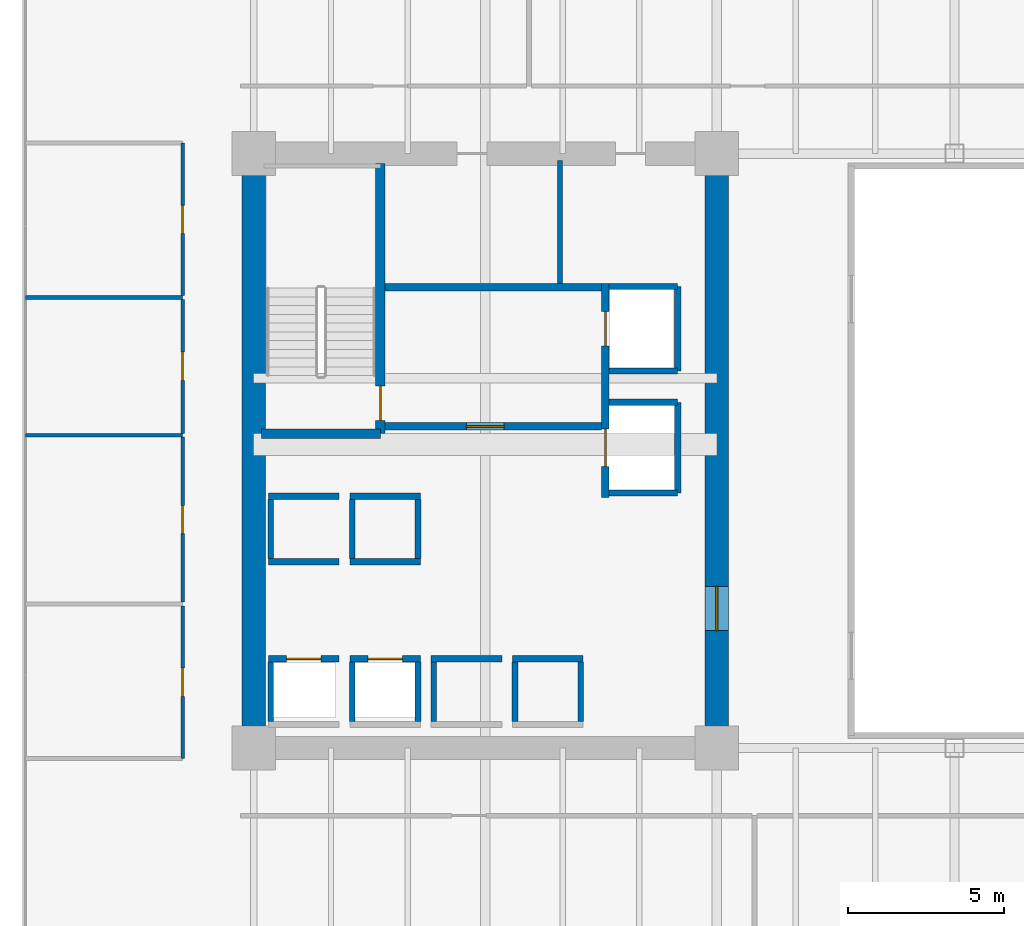
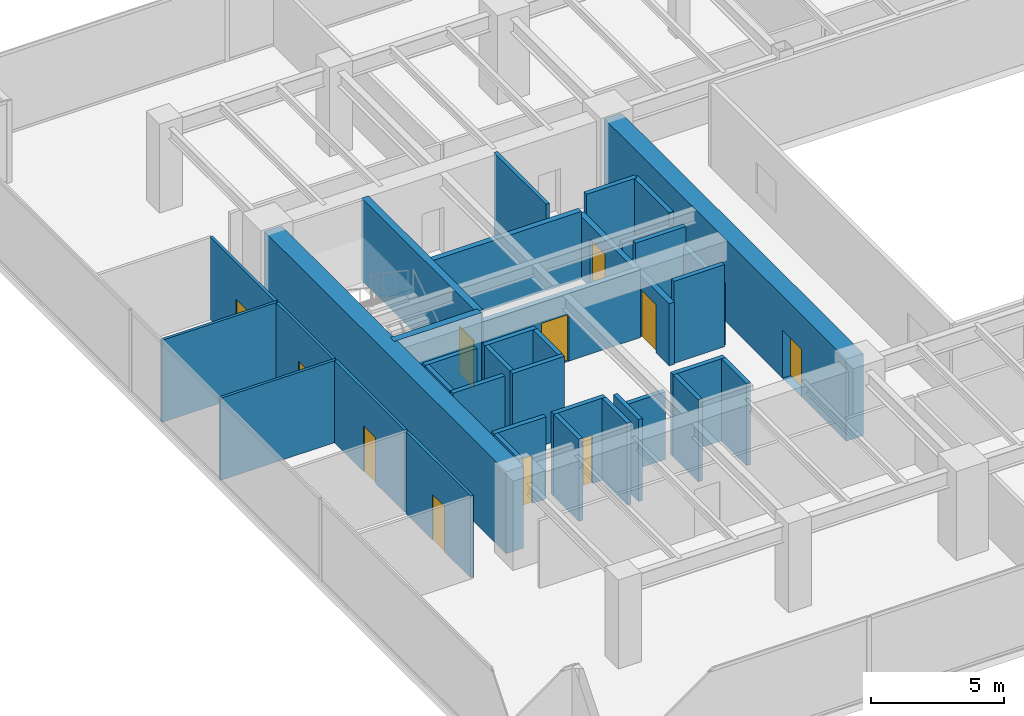
# One storey, part 29 of 35: 37 walls, 11 doors, 11 openings.
"""IFC4 building model written with IfcOpenShell, lengths in metres."""

from ifc_helpers import new_model, si_unit, direction, frame, frame_2d, origin, place, context, subcontext, project, spatial, rectangle, extrude, source, transform, mapped, material, layer, layer_set, type_object, type_shapes, element, fill, save


model = new_model("IFC4")

# Units and contexts
model_context = context("Model", 3, precision=1e-05, world=origin(), true_north=direction((0.0, 1.0)))
body_context = subcontext(model_context, "Body", "Model", "MODEL_VIEW")
ifc_project = project(units=[si_unit("LENGTHUNIT", "METRE"), si_unit("AREAUNIT", "SQUARE_METRE"), si_unit("VOLUMEUNIT", "CUBIC_METRE"), si_unit("PLANEANGLEUNIT", "RADIAN"), si_unit("MASSUNIT", "GRAM", prefix="KILO")], contexts=[model_context])

# Site, building, storey
site_placement = place(None, origin())
site = spatial("IfcSite", under=ifc_project, at=site_placement, CompositionType="ELEMENT")
building_placement = place(site_placement, origin())
building = spatial("IfcBuilding", under=site, at=building_placement, Name="Haelvirn Gate Laboratories", CompositionType="ELEMENT")
storey_placement = place(building_placement, frame((0.0, 0.0, 90.800048828125)))
storey = spatial("IfcBuildingStorey", under=building, at=storey_placement, Name="L22", CompositionType="ELEMENT", Elevation=90.800048828125)

# Wall, opening, door
ifc_material_1 = material(Name="Lightweight acoustic gypsum board partition", Category="gypsum")
ifc_layer_1 = layer(ifc_material_1, 0.1201171875, Name="IW-PART-120")
ifc_layer_set_1 = layer_set([ifc_layer_1], Name="Lightweight acoustic gypsum board partition")
wall_type_1 = type_object("IfcWallType", Name="IW-PART-120", PredefinedType="PARTITIONING", material=ifc_layer_set_1)
wall_1_placement = place(storey_placement, frame((5.1298828125, 14.465087890625, 0.0), z_axis=(0.0, 0.0, 1.0), x_axis=(0.0, 1.0, 0.0)))
wall_1 = element("IfcWall", 1, at=wall_1_placement, inside=storey, type_object=wall_type_1, Name="L22 Interior Wall IW-L22-WPASS-01", PredefinedType="PARTITIONING", context=body_context, shape_type="SweptSolid", body=[
    extrude(rectangle(XDim=4.875, YDim=0.1201171875, at=frame_2d((2.4375, 0.0))), origin(), (0.0, 0.0, 1.0), 3.780029296875),
])
opening_1_placement = place(wall_1_placement, frame((1.987548828125, 0.0, 0.0)))
opening_1 = element("IfcOpeningElement", 2, at=opening_1_placement, cuts=wall_1, Name="Opening D4", PredefinedType="OPENING", context=body_context, shape_type="SweptSolid", body=[
    extrude(rectangle(XDim=0.89990234375, YDim=2.10009765625, at=frame_2d((0.449951171875, 1.050048828125))), frame((0.0, 0.070068359375, 0.0), z_axis=(0.0, -1.0, 0.0), x_axis=(1.0, 0.0, 0.0)), (0.0, 0.0, 1.0), 0.14013671875),
])
ifc_material_2 = material(Name="Glazed aluminium-framed write-up door", Category="aluminium")
door_type_1 = type_object("IfcDoorType", Name="DR-OFF-900", OperationType="NOTDEFINED", PredefinedType="DOOR", material=ifc_material_2)
shared_shape_1 = source(origin(), body_context, "Body", "SweptSolid", [
    extrude(rectangle(XDim=0.89990234375, YDim=2.10009765625, at=frame_2d((0.449951171875, 1.050048828125))), frame((0.0, 0.02490234375, 0.0), z_axis=(0.0, -1.0, 0.0), x_axis=(1.0, 0.0, 0.0)), (0.0, 0.0, 1.0), 0.050048828125),
])
type_shapes(door_type_1, [shared_shape_1])
door_1_placement = place(opening_1_placement, origin())
door_1 = element("IfcDoor", 3, at=door_1_placement, inside=storey, type_object=door_type_1, Name="L22 Peer-Review Seminar Room Door W1", OperationType="SINGLE_SWING_LEFT", OverallHeight=2.10009765625, OverallWidth=0.89990234375, PredefinedType="DOOR", context=body_context, shape_type="MappedRepresentation", body=[
    mapped(shared_shape_1, transform((0.0, 0.0, 0.0), scale=1.0)),
])
fill(opening_1, door_1)

wall_2_placement = place(storey_placement, frame((5.1298828125, 19.4599609375, 0.0), z_axis=(0.0, 0.0, 1.0), x_axis=(0.0, 1.0, 0.0)))
wall_2 = element("IfcWall", 4, at=wall_2_placement, inside=storey, type_object=wall_type_1, Name="L22 Interior Wall IW-L22-WPASS-02", PredefinedType="PARTITIONING", context=body_context, shape_type="SweptSolid", body=[
    extrude(rectangle(XDim=5.280029296875, YDim=0.1201171875, at=frame_2d((2.64013671875, 0.0))), origin(), (0.0, 0.0, 1.0), 3.780029296875),
])
opening_2_placement = place(wall_2_placement, frame((2.18994140625, 0.0, 0.0)))
opening_2 = element("IfcOpeningElement", 5, at=opening_2_placement, cuts=wall_2, Name="Opening D4", PredefinedType="OPENING", context=body_context, shape_type="SweptSolid", body=[
    extrude(rectangle(XDim=0.89990234375, YDim=2.10009765625, at=frame_2d((0.449951171875, 1.050048828125))), frame((0.0, 0.070068359375, 0.0), z_axis=(0.0, -1.0, 0.0), x_axis=(1.0, 0.0, 0.0)), (0.0, 0.0, 1.0), 0.14013671875),
])
door_2_placement = place(opening_2_placement, origin())
door_2 = element("IfcDoor", 6, at=door_2_placement, inside=storey, type_object=door_type_1, Name="L22 Floor Hydration & Tea Servery Door W2", OperationType="SINGLE_SWING_RIGHT", OverallHeight=2.10009765625, OverallWidth=0.89990234375, PredefinedType="DOOR", context=body_context, shape_type="MappedRepresentation", body=[
    mapped(shared_shape_1, transform((0.0, 0.0, 0.0), scale=1.0)),
])
fill(opening_2, door_2)

# Wall
wall_3_placement = place(storey_placement, frame((0.110107421875, 24.800048828125, 0.0), z_axis=(0.0, 0.0, 1.0), x_axis=(1.0, 0.0, 0.0)))
element("IfcWall", 7, at=wall_3_placement, inside=storey, type_object=wall_type_1, Name="L22 Interior Wall IW-L22-WDIV-02", PredefinedType="PARTITIONING", context=body_context, shape_type="SweptSolid", body=[
    extrude(rectangle(XDim=5.019775390625, YDim=0.1201171875, at=frame_2d((2.509765625, 0.0))), origin(), (0.0, 0.0, 1.0), 3.780029296875),
])

# Wall, opening, door
wall_4_placement = place(storey_placement, frame((5.1298828125, 24.860107421875, 0.0), z_axis=(0.0, 0.0, 1.0), x_axis=(0.0, 1.0, 0.0)))
wall_4 = element("IfcWall", 8, at=wall_4_placement, inside=storey, type_object=wall_type_1, Name="L22 Interior Wall IW-L22-WPASS-03", PredefinedType="PARTITIONING", context=body_context, shape_type="SweptSolid", body=[
    extrude(rectangle(XDim=4.27978515625, YDim=0.1201171875, at=frame_2d((2.139892578125, 0.0))), origin(), (0.0, 0.0, 1.0), 3.780029296875),
])
opening_3_placement = place(wall_4_placement, frame((1.68994140625, 0.0, 0.0)))
opening_3 = element("IfcOpeningElement", 9, at=opening_3_placement, cuts=wall_4, Name="Opening D4", PredefinedType="OPENING", context=body_context, shape_type="SweptSolid", body=[
    extrude(rectangle(XDim=0.89990234375, YDim=2.10009765625, at=frame_2d((0.449951171875, 1.050048828125))), frame((0.0, 0.070068359375, 0.0), z_axis=(0.0, -1.0, 0.0), x_axis=(1.0, 0.0, 0.0)), (0.0, 0.0, 1.0), 0.14013671875),
])
door_3_placement = place(opening_3_placement, origin())
door_3 = element("IfcDoor", 10, at=door_3_placement, inside=storey, type_object=door_type_1, Name="L22 Researcher Break Pantry Door W3", OperationType="SINGLE_SWING_LEFT", OverallHeight=2.10009765625, OverallWidth=0.89990234375, PredefinedType="DOOR", context=body_context, shape_type="MappedRepresentation", body=[
    mapped(shared_shape_1, transform((0.0, 0.0, 0.0), scale=1.0)),
])
fill(opening_3, door_3)

# Wall
wall_5_placement = place(storey_placement, frame((0.110107421875, 29.199951171875, 0.0), z_axis=(0.0, 0.0, 1.0), x_axis=(1.0, 0.0, 0.0)))
element("IfcWall", 11, at=wall_5_placement, inside=storey, type_object=wall_type_1, Name="L22 Interior Wall IW-L22-WDIV-03", PredefinedType="PARTITIONING", context=body_context, shape_type="SweptSolid", body=[
    extrude(rectangle(XDim=5.019775390625, YDim=0.1201171875, at=frame_2d((2.509765625, 0.0))), origin(), (0.0, 0.0, 1.0), 3.780029296875),
])

# Wall, opening, door
wall_6_placement = place(storey_placement, frame((5.1298828125, 29.260009765625, 0.0), z_axis=(0.0, 0.0, 1.0), x_axis=(0.0, 1.0, 0.0)))
wall_6 = element("IfcWall", 12, at=wall_6_placement, inside=storey, type_object=wall_type_1, Name="L22 Interior Wall IW-L22-WPASS-04", PredefinedType="PARTITIONING", context=body_context, shape_type="SweptSolid", body=[
    extrude(rectangle(XDim=4.875, YDim=0.1201171875, at=frame_2d((2.4375, 0.0))), origin(), (0.0, 0.0, 1.0), 3.780029296875),
])
opening_4_placement = place(wall_6_placement, frame((1.987548828125, 0.0, 0.0)))
opening_4 = element("IfcOpeningElement", 13, at=opening_4_placement, cuts=wall_6, Name="Opening D4", PredefinedType="OPENING", context=body_context, shape_type="SweptSolid", body=[
    extrude(rectangle(XDim=0.89990234375, YDim=2.10009765625, at=frame_2d((0.449951171875, 1.050048828125))), frame((0.0, 0.070068359375, 0.0), z_axis=(0.0, -1.0, 0.0), x_axis=(1.0, 0.0, 0.0)), (0.0, 0.0, 1.0), 0.14013671875),
])
door_4_placement = place(opening_4_placement, origin())
door_4 = element("IfcDoor", 14, at=door_4_placement, inside=storey, type_object=door_type_1, Name="L22 Proteomics Mass-Spec Laboratory Door W4", OperationType="SINGLE_SWING_RIGHT", OverallHeight=2.10009765625, OverallWidth=0.89990234375, PredefinedType="DOOR", context=body_context, shape_type="MappedRepresentation", body=[
    mapped(shared_shape_1, transform((0.0, 0.0, 0.0), scale=1.0)),
])
fill(opening_4, door_4)

# Walls
ifc_material_3 = material(Name="Cement-board restroom plumbing chase wall", Category="gypsum")
ifc_layer_2 = layer(ifc_material_3, 0.155029296875, Name="IW-PLUMB-160")
ifc_layer_set_2 = layer_set([ifc_layer_2], Name="Cement-board restroom plumbing chase wall")
wall_type_2 = type_object("IfcWallType", Name="IW-PLUMB-160", PredefinedType="PLUMBINGWALL", material=ifc_layer_set_2)
wall_7_placement = place(storey_placement, frame((17.18994140625, 29.64990234375, 0.0), z_axis=(0.0, 0.0, 1.0), x_axis=(0.0, 1.0, 0.0)))
element("IfcWall", 15, at=wall_7_placement, inside=storey, type_object=wall_type_2, Name="L22 Interior Wall IW-L22-W-CDIV-1", PredefinedType="PLUMBINGWALL", context=body_context, shape_type="SweptSolid", body=[
    extrude(rectangle(XDim=3.93017578125, YDim=0.155029296875, at=frame_2d((1.965087890625, 0.0))), origin(), (0.0, 0.0, 1.0), 3.780029296875),
])
ifc_material_4 = material(Name="Concrete C40/50", Category="concrete")
ifc_layer_3 = layer(ifc_material_4, 0.179931640625, Name="IW-SHAFT-180")
ifc_layer_set_3 = layer_set([ifc_layer_3], Name="Concrete C40/50")
wall_type_3 = type_object("IfcWallType", Name="IW-SHAFT-180", PredefinedType="SOLIDWALL", material=ifc_layer_set_3)
for number, where, z_axis, x_axis, name in (
    (16, (7.949951171875, 15.64990234375, 0.0), (0.0, 0.0, 1.0), (0.0, 1.0, 0.0), "L22 Interior Wall IW-L22-PL1-SD"),
    (17, (10.550048828125, 15.64990234375, 0.0), (0.0, 0.0, 1.0), (0.0, 1.0, 0.0), "L22 Interior Wall IW-L22-PL2-SD"),
    (18, (12.64990234375, 15.64990234375, 0.0), (0.0, 0.0, 1.0), (0.0, 1.0, 0.0), "L22 Interior Wall IW-L22-PL2-SDE"),
    (19, (13.14990234375, 15.64990234375, 0.0), (0.0, 0.0, 1.0), (0.0, 1.0, 0.0), "L22 Interior Wall IW-L22-PL5-SD"),
    (20, (15.75, 15.64990234375, 0.0), (0.0, 0.0, 1.0), (0.0, 1.0, 0.0), "L22 Interior Wall IW-L22-PL6-SD"),
    (21, (17.85009765625, 15.64990234375, 0.0), (0.0, 0.0, 1.0), (0.0, 1.0, 0.0), "L22 Interior Wall IW-L22-PL6-SDE"),
):
    element("IfcWall", number, at=place(storey_placement, frame(where, z_axis=z_axis, x_axis=x_axis)), inside=storey, type_object=wall_type_3, Name=name, PredefinedType="SOLIDWALL", context=body_context, shape_type="SweptSolid", body=[
        extrude(rectangle(XDim=1.900146484375, YDim=0.179931640625, at=frame_2d((0.9501953125, 0.0))), origin(), (0.0, 0.0, 1.0), 3.780029296875),
    ])
for number, where, z_axis, x_axis, name in (
    (22, (7.949951171875, 20.85009765625, 0.0), (0.0, 0.0, 1.0), (0.0, 1.0, 0.0), "L22 Interior Wall IW-L22-PL9-SD"),
    (23, (10.550048828125, 20.85009765625, 0.0), (0.0, 0.0, 1.0), (0.0, 1.0, 0.0), "L22 Interior Wall IW-L22-PL10-SD"),
    (24, (12.64990234375, 20.85009765625, 0.0), (0.0, 0.0, 1.0), (0.0, 1.0, 0.0), "L22 Interior Wall IW-L22-PL10-SDE"),
):
    element("IfcWall", number, at=place(storey_placement, frame(where, z_axis=z_axis, x_axis=x_axis)), inside=storey, type_object=wall_type_3, Name=name, PredefinedType="SOLIDWALL", context=body_context, shape_type="SweptSolid", body=[
        extrude(rectangle(XDim=1.89990234375, YDim=0.179931640625, at=frame_2d((0.949951171875, 0.0))), origin(), (0.0, 0.0, 1.0), 3.780029296875),
    ])

# Wall, opening, door
ifc_layer_4 = layer(ifc_material_4, 0.199951171875, Name="IW-SHAFT-200")
ifc_layer_set_4 = layer_set([ifc_layer_4], Name="Concrete C40/50")
wall_type_4 = type_object("IfcWallType", Name="IW-SHAFT-200", PredefinedType="SOLIDWALL", material=ifc_layer_set_4)
wall_8_placement = place(storey_placement, frame((7.8701171875, 17.64990234375, 0.0), z_axis=(0.0, 0.0, 1.0), x_axis=(1.0, 0.0, 0.0)))
wall_8 = element("IfcWall", 25, at=wall_8_placement, inside=storey, type_object=wall_type_4, Name="L22 Interior Wall IW-L22-PL1-FR", PredefinedType="SOLIDWALL", context=body_context, shape_type="SweptSolid", body=[
    extrude(rectangle(XDim=2.259765625, YDim=0.199951171875, at=frame_2d((1.1298828125, 0.0))), origin(), (0.0, 0.0, 1.0), 3.780029296875),
])
opening_5_placement = place(wall_8_placement, frame((0.580078125, 0.0, 0.0)))
opening_5 = element("IfcOpeningElement", 26, at=opening_5_placement, cuts=wall_8, Name="Opening LD2", PredefinedType="OPENING", context=body_context, shape_type="SweptSolid", body=[
    extrude(rectangle(XDim=1.10009765625, YDim=2.219970703125, at=frame_2d((0.550048828125, 1.10986328125))), frame((0.0, 0.10986328125, 0.0), z_axis=(0.0, -1.0, 0.0), x_axis=(1.0, 0.0, 0.0)), (0.0, 0.0, 1.0), 0.219970703125),
])
ifc_material_5 = material(Name="Bronze stainless 316L sliding lift landing door")
door_type_2 = type_object("IfcDoorType", Name="DR-LD-1100", OperationType="NOTDEFINED", PredefinedType="USERDEFINED", material=ifc_material_5)
shared_shape_2 = source(origin(), body_context, "Body", "SweptSolid", [
    extrude(rectangle(XDim=1.10009765625, YDim=2.219970703125, at=frame_2d((0.550048828125, 1.10986328125))), frame((0.0, 0.02490234375, 0.0), z_axis=(0.0, -1.0, 0.0), x_axis=(1.0, 0.0, 0.0)), (0.0, 0.0, 1.0), 0.050048828125),
])
type_shapes(door_type_2, [shared_shape_2])
door_5_placement = place(opening_5_placement, origin())
door_5 = element("IfcDoor", 27, at=door_5_placement, inside=storey, type_object=door_type_2, Name="L22 Passenger Lift PL1 Landing Door", ObjectType="LANDING_DOOR", OperationType="SLIDING_TO_LEFT", OverallHeight=2.219970703125, OverallWidth=1.10009765625, PredefinedType="USERDEFINED", context=body_context, shape_type="MappedRepresentation", body=[
    mapped(shared_shape_2, transform((0.0, 0.0, 0.0), scale=1.0)),
])
fill(opening_5, door_5)

wall_9_placement = place(storey_placement, frame((10.469970703125, 17.64990234375, 0.0), z_axis=(0.0, 0.0, 1.0), x_axis=(1.0, 0.0, 0.0)))
wall_9 = element("IfcWall", 28, at=wall_9_placement, inside=storey, type_object=wall_type_4, Name="L22 Interior Wall IW-L22-PL2-FR", PredefinedType="SOLIDWALL", context=body_context, shape_type="SweptSolid", body=[
    extrude(rectangle(XDim=2.260009765625, YDim=0.199951171875, at=frame_2d((1.1298828125, 0.0))), origin(), (0.0, 0.0, 1.0), 3.780029296875),
])
opening_6_placement = place(wall_9_placement, frame((0.580078125, 0.0, 0.0)))
opening_6 = element("IfcOpeningElement", 29, at=opening_6_placement, cuts=wall_9, Name="Opening LD2", PredefinedType="OPENING", context=body_context, shape_type="SweptSolid", body=[
    extrude(rectangle(XDim=1.10009765625, YDim=2.219970703125, at=frame_2d((0.550048828125, 1.10986328125))), frame((0.0, 0.10986328125, 0.0), z_axis=(0.0, -1.0, 0.0), x_axis=(1.0, 0.0, 0.0)), (0.0, 0.0, 1.0), 0.219970703125),
])
door_6_placement = place(opening_6_placement, origin())
door_6 = element("IfcDoor", 30, at=door_6_placement, inside=storey, type_object=door_type_2, Name="L22 Passenger Lift PL2 Landing Door", ObjectType="LANDING_DOOR", OperationType="SLIDING_TO_RIGHT", OverallHeight=2.219970703125, OverallWidth=1.10009765625, PredefinedType="USERDEFINED", context=body_context, shape_type="MappedRepresentation", body=[
    mapped(shared_shape_2, transform((0.0, 0.0, 0.0), scale=1.0)),
])
fill(opening_6, door_6)

# Walls
wall_10_placement = place(storey_placement, frame((13.070068359375, 17.64990234375, 0.0), z_axis=(0.0, 0.0, 1.0), x_axis=(1.0, 0.0, 0.0)))
element("IfcWall", 31, at=wall_10_placement, inside=storey, type_object=wall_type_4, Name="L22 Interior Wall IW-L22-PL5-FR", PredefinedType="SOLIDWALL", context=body_context, shape_type="SweptSolid", body=[
    extrude(rectangle(XDim=2.260009765625, YDim=0.199951171875, at=frame_2d((1.1298828125, 0.0))), origin(), (0.0, 0.0, 1.0), 3.114990234375),
])
wall_11_placement = place(storey_placement, frame((15.669921875, 17.64990234375, 0.0), z_axis=(0.0, 0.0, 1.0), x_axis=(1.0, 0.0, 0.0)))
element("IfcWall", 32, at=wall_11_placement, inside=storey, type_object=wall_type_4, Name="L22 Interior Wall IW-L22-PL6-FR", PredefinedType="SOLIDWALL", context=body_context, shape_type="SweptSolid", body=[
    extrude(rectangle(XDim=2.260009765625, YDim=0.199951171875, at=frame_2d((1.1298828125, 0.0))), origin(), (0.0, 0.0, 1.0), 3.780029296875),
])
for number, where, z_axis, x_axis, name in (
    (33, (7.8701171875, 20.75, 0.0), (0.0, 0.0, 1.0), (1.0, 0.0, 0.0), "L22 Interior Wall IW-L22-PL9-FR"),
    (34, (7.8701171875, 22.85009765625, 0.0), (0.0, 0.0, 1.0), (1.0, 0.0, 0.0), "L22 Interior Wall IW-L22-PL9-BK"),
):
    element("IfcWall", number, at=place(storey_placement, frame(where, z_axis=z_axis, x_axis=x_axis)), inside=storey, type_object=wall_type_4, Name=name, PredefinedType="SOLIDWALL", context=body_context, shape_type="SweptSolid", body=[
        extrude(rectangle(XDim=2.259765625, YDim=0.199951171875, at=frame_2d((1.1298828125, 0.0))), origin(), (0.0, 0.0, 1.0), 3.780029296875),
    ])
for number, where, z_axis, x_axis, name in (
    (35, (10.469970703125, 20.75, 0.0), (0.0, 0.0, 1.0), (1.0, 0.0, 0.0), "L22 Interior Wall IW-L22-PL10-FR"),
    (36, (10.469970703125, 22.85009765625, 0.0), (0.0, 0.0, 1.0), (1.0, 0.0, 0.0), "L22 Interior Wall IW-L22-PL10-BK"),
):
    element("IfcWall", number, at=place(storey_placement, frame(where, z_axis=z_axis, x_axis=x_axis)), inside=storey, type_object=wall_type_4, Name=name, PredefinedType="SOLIDWALL", context=body_context, shape_type="SweptSolid", body=[
        extrude(rectangle(XDim=2.260009765625, YDim=0.199951171875, at=frame_2d((1.1298828125, 0.0))), origin(), (0.0, 0.0, 1.0), 3.780029296875),
    ])
wall_12_placement = place(storey_placement, frame((20.949951171875, 26.85009765625, 0.0), z_axis=(0.0, 0.0, 1.0), x_axis=(0.0, 1.0, 0.0)))
element("IfcWall", 37, at=wall_12_placement, inside=storey, type_object=wall_type_4, Name="L22 Interior Wall IW-L22-FL1-BK", PredefinedType="SOLIDWALL", context=body_context, shape_type="SweptSolid", body=[
    extrude(rectangle(XDim=2.699951171875, YDim=0.199951171875, at=frame_2d((1.35009765625, 0.0))), origin(), (0.0, 0.0, 1.0), 3.780029296875),
])
wall_13_placement = place(storey_placement, frame((18.760009765625, 29.550048828125, 0.0), z_axis=(0.0, 0.0, 1.0), x_axis=(1.0, 0.0, 0.0)))
element("IfcWall", 38, at=wall_13_placement, inside=storey, type_object=wall_type_4, Name="L22 Interior Wall IW-L22-FL1-N", PredefinedType="SOLIDWALL", context=body_context, shape_type="SweptSolid", body=[
    extrude(rectangle(XDim=2.18994140625, YDim=0.199951171875, at=frame_2d((1.094970703125, 0.0))), origin(), (0.0, 0.0, 1.0), 3.780029296875),
])
wall_14_placement = place(storey_placement, frame((18.760009765625, 26.85009765625, 0.0), z_axis=(0.0, 0.0, 1.0), x_axis=(1.0, 0.0, 0.0)))
element("IfcWall", 39, at=wall_14_placement, inside=storey, type_object=wall_type_4, Name="L22 Interior Wall IW-L22-FL1-S", PredefinedType="SOLIDWALL", context=body_context, shape_type="SweptSolid", body=[
    extrude(rectangle(XDim=2.18994140625, YDim=0.199951171875, at=frame_2d((1.094970703125, 0.0))), origin(), (0.0, 0.0, 1.0), 3.177001953125),
])
wall_15_placement = place(storey_placement, frame((20.949951171875, 22.949951171875, 0.0), z_axis=(0.0, 0.0, 1.0), x_axis=(0.0, 1.0, 0.0)))
element("IfcWall", 40, at=wall_15_placement, inside=storey, type_object=wall_type_4, Name="L22 Interior Wall IW-L22-SL1-BK", PredefinedType="SOLIDWALL", context=body_context, shape_type="SweptSolid", body=[
    extrude(rectangle(XDim=2.900146484375, YDim=0.199951171875, at=frame_2d((1.4501953125, 0.0))), origin(), (0.0, 0.0, 1.0), 2.864990234375),
])
for number, where, z_axis, x_axis, name in (
    (41, (18.760009765625, 25.85009765625, 0.0), (0.0, 0.0, 1.0), (1.0, 0.0, 0.0), "L22 Interior Wall IW-L22-SL1-N"),
    (42, (18.760009765625, 22.949951171875, 0.0), (0.0, 0.0, 1.0), (1.0, 0.0, 0.0), "L22 Interior Wall IW-L22-SL1-S"),
):
    element("IfcWall", number, at=place(storey_placement, frame(where, z_axis=z_axis, x_axis=x_axis)), inside=storey, type_object=wall_type_4, Name=name, PredefinedType="SOLIDWALL", context=body_context, shape_type="SweptSolid", body=[
        extrude(rectangle(XDim=2.18994140625, YDim=0.199951171875, at=frame_2d((1.094970703125, 0.0))), origin(), (0.0, 0.0, 1.0), 3.780029296875),
    ])

# Wall, opening, door
ifc_layer_5 = layer(ifc_material_4, 0.239990234375, Name="IW-SHAFT-240")
ifc_layer_set_5 = layer_set([ifc_layer_5], Name="Concrete C40/50")
wall_type_5 = type_object("IfcWallType", Name="IW-SHAFT-240", PredefinedType="SOLIDWALL", material=ifc_layer_set_5)
wall_16_placement = place(storey_placement, frame((11.60009765625, 25.080078125, 0.0), z_axis=(0.0, 0.0, 1.0), x_axis=(1.0, 0.0, 0.0)))
wall_16 = element("IfcWall", 43, at=wall_16_placement, inside=storey, type_object=wall_type_5, Name="L22 Interior Wall IW-L22-W-FF-S", PredefinedType="SOLIDWALL", context=body_context, shape_type="SweptSolid", body=[
    extrude(rectangle(XDim=6.919921875, YDim=0.239990234375, at=frame_2d((3.4599609375, 0.0))), origin(), (0.0, 0.0, 1.0), 3.114990234375),
])
opening_7_placement = place(wall_16_placement, frame((2.60009765625, 0.0, 0.0)))
opening_7 = element("IfcOpeningElement", 44, at=opening_7_placement, cuts=wall_16, Name="Opening FD2", PredefinedType="OPENING", context=body_context, shape_type="SweptSolid", body=[
    extrude(rectangle(XDim=1.199951171875, YDim=2.159912109375, at=frame_2d((0.60009765625, 1.080078125))), frame((0.0, 0.1298828125, 0.0), z_axis=(0.0, -1.0, 0.0), x_axis=(1.0, 0.0, 0.0)), (0.0, 0.0, 1.0), 0.260009765625),
])
ifc_material_6 = material(Name="Fire-rated steel SM355 compartment door", Category="steel")
door_type_3 = type_object("IfcDoorType", Name="DR-FD-1200", OperationType="NOTDEFINED", PredefinedType="DOOR", material=ifc_material_6)
shared_shape_3 = source(origin(), body_context, "Body", "SweptSolid", [
    extrude(rectangle(XDim=1.199951171875, YDim=2.159912109375, at=frame_2d((0.60009765625, 1.080078125))), frame((0.0, 0.02490234375, 0.0), z_axis=(0.0, -1.0, 0.0), x_axis=(1.0, 0.0, 0.0)), (0.0, 0.0, 1.0), 0.050048828125),
])
type_shapes(door_type_3, [shared_shape_3])
door_7_placement = place(opening_7_placement, origin())
door_7 = element("IfcDoor", 45, at=door_7_placement, inside=storey, type_object=door_type_3, Name="L22 West Firefighting Lobby Door", OperationType="SINGLE_SWING_RIGHT", OverallHeight=2.159912109375, OverallWidth=1.199951171875, PredefinedType="DOOR", context=body_context, shape_type="MappedRepresentation", body=[
    mapped(shared_shape_3, transform((0.0, 0.0, 0.0), scale=1.0)),
])
fill(opening_7, door_7)

# Wall
wall_17_placement = place(storey_placement, frame((11.60009765625, 29.52001953125, 0.0), z_axis=(0.0, 0.0, 1.0), x_axis=(1.0, 0.0, 0.0)))
element("IfcWall", 46, at=wall_17_placement, inside=storey, type_object=wall_type_5, Name="L22 Interior Wall IW-L22-W-FF-N", PredefinedType="SOLIDWALL", context=body_context, shape_type="SweptSolid", body=[
    extrude(rectangle(XDim=6.919921875, YDim=0.239990234375, at=frame_2d((3.4599609375, 0.0))), origin(), (0.0, 0.0, 1.0), 3.114990234375),
])

# Wall, openings, doors
wall_18_placement = place(storey_placement, frame((18.639892578125, 22.800048828125, 0.0), z_axis=(0.0, 0.0, 1.0), x_axis=(0.0, 1.0, 0.0)))
wall_18 = element("IfcWall", 47, at=wall_18_placement, inside=storey, type_object=wall_type_5, Name="L22 Interior Wall IW-L22-W-FF-E", PredefinedType="SOLIDWALL", context=body_context, shape_type="SweptSolid", body=[
    extrude(rectangle(XDim=6.849853515625, YDim=0.239990234375, at=frame_2d((3.4248046875, 0.0))), origin(), (0.0, 0.0, 1.0), 2.864990234375),
])
opening_8_placement = place(wall_18_placement, frame((4.85009765625, 0.0, 0.0)))
opening_8 = element("IfcOpeningElement", 48, at=opening_8_placement, cuts=wall_18, Name="Opening LD2", PredefinedType="OPENING", context=body_context, shape_type="SweptSolid", body=[
    extrude(rectangle(XDim=1.10009765625, YDim=2.219970703125, at=frame_2d((0.550048828125, 1.10986328125))), frame((0.0, 0.1298828125, 0.0), z_axis=(0.0, -1.0, 0.0), x_axis=(1.0, 0.0, 0.0)), (0.0, 0.0, 1.0), 0.260009765625),
])
opening_9_placement = place(wall_18_placement, frame((1.0, 0.0, 0.0)))
opening_9 = element("IfcOpeningElement", 49, at=opening_9_placement, cuts=wall_18, Name="Opening LD1", PredefinedType="OPENING", context=body_context, shape_type="SweptSolid", body=[
    extrude(rectangle(XDim=1.199951171875, YDim=2.219970703125, at=frame_2d((0.60009765625, 1.10986328125))), frame((0.0, 0.1298828125, 0.0), z_axis=(0.0, -1.0, 0.0), x_axis=(1.0, 0.0, 0.0)), (0.0, 0.0, 1.0), 0.260009765625),
])
door_8_placement = place(opening_8_placement, origin())
door_8 = element("IfcDoor", 50, at=door_8_placement, inside=storey, type_object=door_type_2, Name="L22 Firefighting Lift FL1 Landing Door", ObjectType="LANDING_DOOR", OperationType="SLIDING_TO_LEFT", OverallHeight=2.219970703125, OverallWidth=1.10009765625, PredefinedType="USERDEFINED", context=body_context, shape_type="MappedRepresentation", body=[
    mapped(shared_shape_2, transform((0.0, 0.0, 0.0), scale=1.0)),
])
fill(opening_8, door_8)
ifc_material_7 = material(Name="Stainless steel 316L sliding goods landing door", Category="steel")
door_type_4 = type_object("IfcDoorType", Name="DR-LD-1200", OperationType="NOTDEFINED", PredefinedType="USERDEFINED", material=ifc_material_7)
shared_shape_4 = source(origin(), body_context, "Body", "SweptSolid", [
    extrude(rectangle(XDim=1.199951171875, YDim=2.219970703125, at=frame_2d((0.60009765625, 1.10986328125))), frame((0.0, 0.02490234375, 0.0), z_axis=(0.0, -1.0, 0.0), x_axis=(1.0, 0.0, 0.0)), (0.0, 0.0, 1.0), 0.050048828125),
])
type_shapes(door_type_4, [shared_shape_4])
door_9_placement = place(opening_9_placement, origin())
door_9 = element("IfcDoor", 51, at=door_9_placement, inside=storey, type_object=door_type_4, Name="L22 Service Lift SL1 Landing Door", ObjectType="LANDING_DOOR", OperationType="SLIDING_TO_RIGHT", OverallHeight=2.219970703125, OverallWidth=1.199951171875, PredefinedType="USERDEFINED", context=body_context, shape_type="MappedRepresentation", body=[
    mapped(shared_shape_4, transform((0.0, 0.0, 0.0), scale=1.0)),
])
fill(opening_9, door_9)

# Wall
ifc_material_8 = material(Name="Concrete C70/85", Category="concrete")
ifc_layer_6 = layer(ifc_material_8, 0.75, Name="SW-CORE-750")
ifc_layer_set_6 = layer_set([ifc_layer_6], Name="Concrete C70/85")
wall_type_6 = type_object("IfcWallType", Name="SW-CORE-750", PredefinedType="SHEAR", material=ifc_layer_set_6)
wall_19_placement = place(storey_placement, frame((7.39990234375, 15.175048828125, 0.0), z_axis=(0.0, 0.0, 1.0), x_axis=(0.0, 1.0, 0.0)))
element("IfcWall", 52, at=wall_19_placement, inside=storey, type_object=wall_type_6, Name="L22 W Core Shear Wall W", PredefinedType="SHEAR", context=body_context, shape_type="SweptSolid", body=[
    extrude(rectangle(XDim=18.25, YDim=0.75, at=frame_2d((9.125, 0.0))), origin(), (0.0, 0.0, 1.0), 3.780029296875),
])

# Wall, opening, door
wall_20_placement = place(storey_placement, frame((22.199951171875, 15.175048828125, 0.0), z_axis=(0.0, 0.0, 1.0), x_axis=(0.0, 1.0, 0.0)))
wall_20 = element("IfcWall", 53, at=wall_20_placement, inside=storey, type_object=wall_type_6, Name="L22 W Core Shear Wall E", PredefinedType="SHEAR", context=body_context, shape_type="SweptSolid", body=[
    extrude(rectangle(XDim=18.25, YDim=0.75, at=frame_2d((9.125, 0.0))), origin(), (0.0, 0.0, 1.0), 3.780029296875),
])
opening_10_placement = place(wall_20_placement, frame((3.375, 0.0, 0.0)))
opening_10 = element("IfcOpeningElement", 54, at=opening_10_placement, cuts=wall_20, Name="Opening FD1", PredefinedType="OPENING", context=body_context, shape_type="SweptSolid", body=[
    extrude(rectangle(XDim=1.419921875, YDim=2.199951171875, at=frame_2d((0.7099609375, 1.10009765625))), frame((0.0, 0.385009765625, 0.0), z_axis=(0.0, -1.0, 0.0), x_axis=(1.0, 0.0, 0.0)), (0.0, 0.0, 1.0), 0.77001953125),
])
ifc_material_9 = material(Name="Fire-rated double steel SM355 lobby door", Category="steel")
door_type_5 = type_object("IfcDoorType", Name="DR-FD-1400", OperationType="NOTDEFINED", PredefinedType="DOOR", material=ifc_material_9)
shared_shape_5 = source(origin(), body_context, "Body", "SweptSolid", [
    extrude(rectangle(XDim=1.419921875, YDim=2.199951171875, at=frame_2d((0.7099609375, 1.10009765625))), frame((0.0, 0.02490234375, 0.0), z_axis=(0.0, -1.0, 0.0), x_axis=(1.0, 0.0, 0.0)), (0.0, 0.0, 1.0), 0.050048828125),
])
type_shapes(door_type_5, [shared_shape_5])
door_10_placement = place(opening_10_placement, origin())
door_10 = element("IfcDoor", 55, at=door_10_placement, inside=storey, type_object=door_type_5, Name="L22 West Core Lift Lobby Fire Door", OperationType="DOUBLE_DOOR_SINGLE_SWING", OverallHeight=2.199951171875, OverallWidth=1.419921875, PredefinedType="DOOR", context=body_context, shape_type="MappedRepresentation", body=[
    mapped(shared_shape_5, transform((0.0, 0.0, 0.0), scale=1.0)),
])
fill(opening_10, door_10)

ifc_material_10 = material(Name="Concrete C50/60", Category="concrete")
ifc_layer_7 = layer(ifc_material_10, 0.300048828125, Name="SW-STAIR-300")
ifc_layer_set_7 = layer_set([ifc_layer_7], Name="Concrete C50/60")
wall_type_7 = type_object("IfcWallType", Name="SW-STAIR-300", PredefinedType="SHEAR", material=ifc_layer_set_7)
wall_21_placement = place(storey_placement, frame((11.449951171875, 24.85009765625, 0.0), z_axis=(0.0, 0.0, 1.0), x_axis=(0.0, 1.0, 0.0)))
wall_21 = element("IfcWall", 56, at=wall_21_placement, inside=storey, type_object=wall_type_7, Name="L22 W Core Stair Shaft Structural Wall IN", PredefinedType="SHEAR", context=body_context, shape_type="SweptSolid", body=[
    extrude(rectangle(XDim=8.6298828125, YDim=0.300048828125, at=frame_2d((4.31494140625, 0.0))), origin(), (0.0, 0.0, 1.0), 3.780029296875),
])
opening_11_placement = place(wall_21_placement, frame((0.419921875, 0.0, 0.0)))
opening_11 = element("IfcOpeningElement", 57, at=opening_11_placement, cuts=wall_21, Name="Opening FD3", PredefinedType="OPENING", context=body_context, shape_type="SweptSolid", body=[
    extrude(rectangle(XDim=1.10009765625, YDim=2.14990234375, at=frame_2d((0.550048828125, 1.074951171875))), frame((0.0, 0.16015625, 0.0), z_axis=(0.0, -1.0, 0.0), x_axis=(1.0, 0.0, 0.0)), (0.0, 0.0, 1.0), 0.320068359375),
])
ifc_material_11 = material(Name="Fire-rated steel SM355 escape stair door", Category="steel")
door_type_6 = type_object("IfcDoorType", Name="DR-FD-1100", OperationType="NOTDEFINED", PredefinedType="DOOR", material=ifc_material_11)
shared_shape_6 = source(origin(), body_context, "Body", "SweptSolid", [
    extrude(rectangle(XDim=1.10009765625, YDim=2.14990234375, at=frame_2d((0.550048828125, 1.074951171875))), frame((0.0, 0.02490234375, 0.0), z_axis=(0.0, -1.0, 0.0), x_axis=(1.0, 0.0, 0.0)), (0.0, 0.0, 1.0), 0.050048828125),
])
type_shapes(door_type_6, [shared_shape_6])
door_11_placement = place(opening_11_placement, origin())
door_11 = element("IfcDoor", 58, at=door_11_placement, inside=storey, type_object=door_type_6, Name="L22 Escape Stair ST1 Fire Door", OperationType="SINGLE_SWING_LEFT", OverallHeight=2.14990234375, OverallWidth=1.10009765625, PredefinedType="DOOR", context=body_context, shape_type="MappedRepresentation", body=[
    mapped(shared_shape_6, transform((0.0, 0.0, 0.0), scale=1.0)),
])
fill(opening_11, door_11)

# Wall
wall_22_placement = place(storey_placement, frame((7.64990234375, 24.85009765625, 0.0), z_axis=(0.0, 0.0, 1.0), x_axis=(1.0, 0.0, 0.0)))
element("IfcWall", 59, at=wall_22_placement, inside=storey, type_object=wall_type_7, Name="L22 W Core Stair Shaft Structural Wall S", PredefinedType="SHEAR", context=body_context, shape_type="SweptSolid", body=[
    extrude(rectangle(XDim=3.800048828125, YDim=0.300048828125, at=frame_2d((1.89990234375, 0.0))), origin(), (0.0, 0.0, 1.0), 3.780029296875),
])

save(model, "model.ifc")
